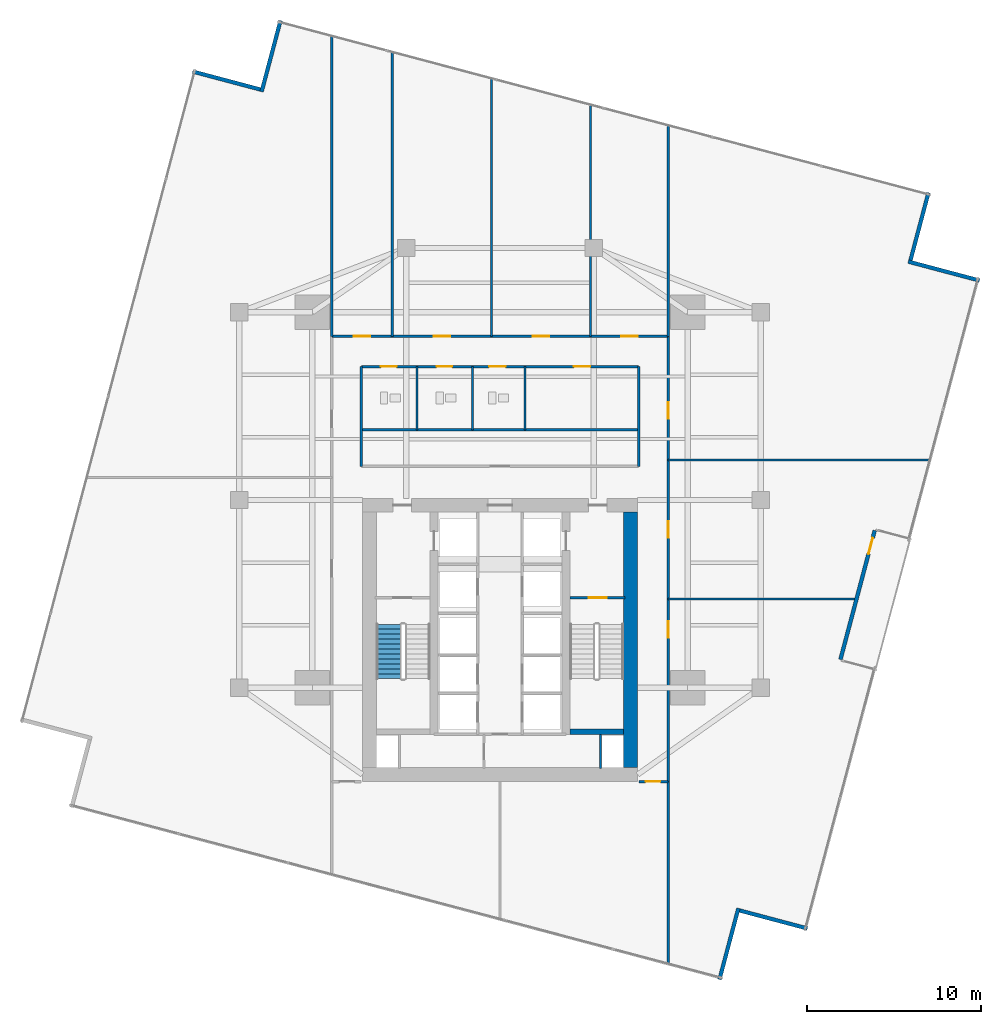
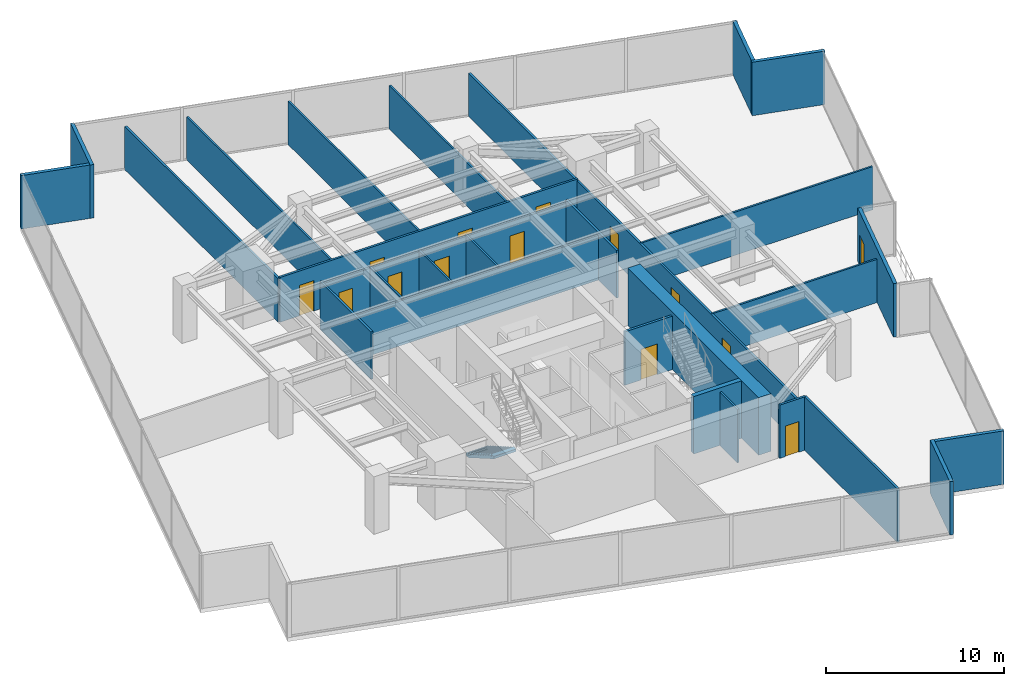
# One storey, part 24 of 27: 29 walls, 14 doors, 1 stair flight, 14 openings, 1 element without a shape of its own.
"""IFC4 building model written with IfcOpenShell, lengths in metres."""

from ifc_helpers import new_model, si_unit, direction, frame, frame_2d, origin, place, context, subcontext, project, spatial, polyline, rectangle, outline, extrude, material, layer, layer_set, type_object, element, fill, aggregate, save


model = new_model("IFC4")

# Units and contexts
model_context = context("Model", 3, precision=1e-05, world=origin(), true_north=direction((0.0, 1.0)))
body_context = subcontext(model_context, "Body", "Model", "MODEL_VIEW")
ifc_project = project(units=[si_unit("LENGTHUNIT", "METRE"), si_unit("AREAUNIT", "SQUARE_METRE"), si_unit("VOLUMEUNIT", "CUBIC_METRE"), si_unit("PLANEANGLEUNIT", "RADIAN"), si_unit("MASSUNIT", "GRAM", prefix="KILO")], contexts=[model_context])

# Site, building, storey
site_placement = place(None, origin())
site = spatial("IfcSite", under=ifc_project, at=site_placement, CompositionType="ELEMENT")
building_placement = place(site_placement, origin())
building = spatial("IfcBuilding", under=site, at=building_placement, Name="Krantzveldt Concourse Tower", CompositionType="ELEMENT")
storey_placement = place(building_placement, frame((0.0, 0.0, 97.949951171875)))
storey = spatial("IfcBuildingStorey", under=building, at=storey_placement, Name="L23", CompositionType="ELEMENT", Elevation=97.949951171875)

# Walls
ifc_material_1 = material(Name="Anodised aluminium 6063-T6", Category="aluminium")
ifc_layer_1 = layer(ifc_material_1, 0.219970703125, Name="Anodised aluminium 6063-T6", Category="aluminium")
ifc_layer_set_1 = layer_set([ifc_layer_1], Name="Anodised aluminium 6063-T6 (WL-EXT-NOTCH220)")
wall_type_1 = type_object("IfcWallType", Name="WL-EXT-NOTCH220", PredefinedType="ELEMENTEDWALL", material=ifc_layer_set_1)
wall_1_placement = place(storey_placement, frame((22.2021484375, 50.32373046875, 0.0), z_axis=(0.0, 0.0, 1.0), x_axis=(-0.966492181189, 0.256696053144, 0.0)))
element("IfcWall", 1, at=wall_1_placement, inside=storey, type_object=wall_type_1, Name="EW-L23-NCH00", PredefinedType="ELEMENTEDWALL", context=body_context, shape_type="SweptSolid", body=[
    extrude(rectangle(XDim=4.02490234375, YDim=0.219970703125, at=frame_2d((2.012451171875, 0.0))), origin(), (0.0, 0.0, 1.0), 3.670166015625),
])
wall_2_placement = place(storey_placement, frame((48.630126953125, -0.891845703125, 0.0), z_axis=(0.0, 0.0, 1.0), x_axis=(0.256692391399, 0.966493153725, 0.0)))
element("IfcWall", 2, at=wall_2_placement, inside=storey, type_object=wall_type_1, Name="EW-L23-NCH05", PredefinedType="ELEMENTEDWALL", context=body_context, shape_type="SweptSolid", body=[
    extrude(rectangle(XDim=4.244873046875, YDim=0.219970703125, at=frame_2d((2.12255859375, 0.0))), origin(), (0.0, 0.0, 1.0), 3.670166015625),
])
wall_3_placement = place(storey_placement, frame((49.7978515625, 3.076171875, 0.0), z_axis=(0.0, 0.0, 1.0), x_axis=(0.966492181189, -0.256696053144, 0.0)))
element("IfcWall", 3, at=wall_3_placement, inside=storey, type_object=wall_type_1, Name="EW-L23-NCH06", PredefinedType="ELEMENTEDWALL", context=body_context, shape_type="SweptSolid", body=[
    extrude(rectangle(XDim=4.02490234375, YDim=0.219970703125, at=frame_2d((2.012451171875, 0.0))), origin(), (0.0, 0.0, 1.0), 3.670166015625),
])

# Wall, opening, door
wall_4_placement = place(storey_placement, frame((57.5634765625, 24.95068359375, 0.0), z_axis=(0.0, 0.0, 1.0), x_axis=(-0.256717978083, -0.966486357756, 0.0)))
wall_4 = element("IfcWall", 4, at=wall_4_placement, inside=storey, type_object=wall_type_1, Name="EW-L23-TSLOT", PredefinedType="ELEMENTEDWALL", context=body_context, shape_type="SweptSolid", body=[
    extrude(rectangle(XDim=7.68994140625, YDim=0.219970703125, at=frame_2d((3.844970703125, 0.0))), origin(), (0.0, 0.0, 1.0), 3.670166015625),
])
opening_1_placement = place(wall_4_placement, frame((0.449951171875, 0.0, 0.0)))
opening_1 = element("IfcOpeningElement", 5, at=opening_1_placement, cuts=wall_4, Name="Opening D-EX95", PredefinedType="OPENING", context=body_context, shape_type="SweptSolid", body=[
    extrude(rectangle(XDim=0.949951171875, YDim=2.10009765625, at=frame_2d((0.47509765625, 1.050048828125))), frame((0.0, 0.1201171875, 0.0), z_axis=(0.0, -1.0, 0.0), x_axis=(1.0, 0.0, 0.0)), (0.0, 0.0, 1.0), 0.239990234375),
])
door_type_1 = type_object("IfcDoorType", Name="DR-EXT-950", OperationType="SINGLE_SWING_LEFT", PredefinedType="DOOR", material=ifc_material_1)
door_1_placement = place(opening_1_placement, origin())
door_1 = element("IfcDoor", 6, at=door_1_placement, inside=storey, type_object=door_type_1, Name="DR-L23-TERR", OperationType="SINGLE_SWING_LEFT", OverallHeight=2.10009765625, OverallWidth=0.949951171875, PredefinedType="DOOR", context=body_context, shape_type="SweptSolid", body=[
    extrude(rectangle(XDim=0.949951171875, YDim=2.10009765625, at=frame_2d((0.47509765625, 1.050048828125))), frame((0.0, 0.02490234375, 0.0), z_axis=(0.0, -1.0, 0.0), x_axis=(1.0, 0.0, 0.0)), (0.0, 0.0, 1.0), 0.050048828125),
])
fill(opening_1, door_1)

# Walls
wall_5_placement = place(storey_placement, frame((63.592041015625, 39.330078125, 0.0), z_axis=(0.0, 0.0, 1.0), x_axis=(-0.966482674278, 0.256731845164, 0.0)))
element("IfcWall", 7, at=wall_5_placement, inside=storey, type_object=wall_type_1, Name="EW-L23-NCH12", PredefinedType="ELEMENTEDWALL", context=body_context, shape_type="SweptSolid", body=[
    extrude(rectangle(XDim=4.2451171875, YDim=0.219970703125, at=frame_2d((2.12255859375, 0.0))), origin(), (0.0, 0.0, 1.0), 3.670166015625),
])
wall_6_placement = place(storey_placement, frame((59.623779296875, 40.497802734375, 0.0), z_axis=(0.0, 0.0, 1.0), x_axis=(0.256696053144, 0.966492181189, 0.0)))
element("IfcWall", 8, at=wall_6_placement, inside=storey, type_object=wall_type_1, Name="EW-L23-NCH13", PredefinedType="ELEMENTEDWALL", context=body_context, shape_type="SweptSolid", body=[
    extrude(rectangle(XDim=4.02490234375, YDim=0.219970703125, at=frame_2d((2.012451171875, 0.0))), origin(), (0.0, 0.0, 1.0), 3.670166015625),
])
wall_7_placement = place(storey_placement, frame((23.369873046875, 54.2919921875, 0.0), z_axis=(0.0, 0.0, 1.0), x_axis=(-0.256678123022, -0.966496943173, 0.0)))
element("IfcWall", 9, at=wall_7_placement, inside=storey, type_object=wall_type_1, Name="EW-L23-NCH15", PredefinedType="ELEMENTEDWALL", context=body_context, shape_type="SweptSolid", body=[
    extrude(rectangle(XDim=4.2451171875, YDim=0.219970703125, at=frame_2d((2.12255859375, 0.0))), origin(), (0.0, 0.0, 1.0), 3.670166015625),
])
ifc_material_2 = material(Name="Fire-rated gypsum plasterboard on steel stud", Category="steel")
ifc_layer_2 = layer(ifc_material_2, 0.1201171875, Name="Fire-rated gypsum plasterboard on steel stud", Category="steel")
ifc_layer_set_2 = layer_set([ifc_layer_2], Name="Fire-rated gypsum plasterboard on steel stud (WL-PART-120)")
wall_type_2 = type_object("IfcWallType", Name="WL-PART-120", PredefinedType="PARTITIONING", material=ifc_layer_set_2)
wall_8_placement = place(storey_placement, frame((28.02001953125, 30.739990234375, 0.0), z_axis=(0.0, 0.0, 1.0), x_axis=(1.0, 0.0, 0.0)))
element("IfcWall", 10, at=wall_8_placement, inside=storey, type_object=wall_type_2, Name="WP-L23-ISLM", PredefinedType="PARTITIONING", context=body_context, shape_type="SweptSolid", body=[
    extrude(rectangle(XDim=15.9599609375, YDim=0.1201171875, at=frame_2d((7.97998046875, 0.0))), origin(), (0.0, 0.0, 1.0), 3.080078125),
])
for number, where, z_axis, x_axis, name in (
    (11, (31.219970703125, 30.739990234375, 0.0), (0.0, 0.0, 1.0), (0.0, 1.0, 0.0), "WP-L23-WCD1"),
    (12, (34.419921875, 30.739990234375, 0.0), (0.0, 0.0, 1.0), (0.0, 1.0, 0.0), "WP-L23-WCD2"),
    (13, (37.449951171875, 30.739990234375, 0.0), (0.0, 0.0, 1.0), (0.0, 1.0, 0.0), "WP-L23-WCD3"),
):
    element("IfcWall", number, at=place(storey_placement, frame(where, z_axis=z_axis, x_axis=x_axis)), inside=storey, type_object=wall_type_2, Name=name, PredefinedType="PARTITIONING", context=body_context, shape_type="SweptSolid", body=[
        extrude(rectangle(XDim=3.639892578125, YDim=0.1201171875, at=frame_2d((1.81982421875, 0.0))), origin(), (0.0, 0.0, 1.0), 3.170166015625),
    ])
wall_9_placement = place(storey_placement, frame((29.800048828125, 36.1201171875, 0.0), z_axis=(0.0, 0.0, 1.0), x_axis=(0.0, 1.0, 0.0)))
element("IfcWall", 14, at=wall_9_placement, inside=storey, type_object=wall_type_2, Name="WP-L23-ND1", PredefinedType="PARTITIONING", context=body_context, shape_type="SweptSolid", body=[
    extrude(rectangle(XDim=16.344970703125, YDim=0.1201171875, at=frame_2d((8.17236328125, 0.0))), origin(), (0.0, 0.0, 1.0), 2.969970703125),
])
wall_10_placement = place(storey_placement, frame((35.5, 36.1201171875, 0.0), z_axis=(0.0, 0.0, 1.0), x_axis=(0.0, 1.0, 0.0)))
element("IfcWall", 15, at=wall_10_placement, inside=storey, type_object=wall_type_2, Name="WP-L23-ND2", PredefinedType="PARTITIONING", context=body_context, shape_type="SweptSolid", body=[
    extrude(rectangle(XDim=14.8310546875, YDim=0.1201171875, at=frame_2d((7.41552734375, 0.0))), origin(), (0.0, 0.0, 1.0), 2.969970703125),
])
wall_11_placement = place(storey_placement, frame((41.199951171875, 36.1201171875, 0.0), z_axis=(0.0, 0.0, 1.0), x_axis=(0.0, 1.0, 0.0)))
element("IfcWall", 16, at=wall_11_placement, inside=storey, type_object=wall_type_2, Name="WP-L23-ND3", PredefinedType="PARTITIONING", context=body_context, shape_type="SweptSolid", body=[
    extrude(rectangle(XDim=13.31689453125, YDim=0.1201171875, at=frame_2d((6.658447265625, 0.0))), origin(), (0.0, 0.0, 1.0), 2.969970703125),
])
wall_12_placement = place(storey_placement, frame((45.679931640625, 21.0, 0.0), z_axis=(0.0, 0.0, 1.0), x_axis=(1.0, 0.0, 0.0)))
element("IfcWall", 17, at=wall_12_placement, inside=storey, type_object=wall_type_2, Name="WP-L23-ED1", PredefinedType="PARTITIONING", context=body_context, shape_type="SweptSolid", body=[
    extrude(rectangle(XDim=10.71533203125, YDim=0.1201171875, at=frame_2d((5.357666015625, 0.0))), origin(), (0.0, 0.0, 1.0), 2.969970703125),
])
wall_13_placement = place(storey_placement, frame((45.679931640625, 29.0, 0.0), z_axis=(0.0, 0.0, 1.0), x_axis=(1.0, 0.0, 0.0)))
element("IfcWall", 18, at=wall_13_placement, inside=storey, type_object=wall_type_2, Name="WP-L23-ED2", PredefinedType="PARTITIONING", context=body_context, shape_type="SweptSolid", body=[
    extrude(rectangle(XDim=15.04931640625, YDim=0.1201171875, at=frame_2d((7.524658203125, 0.0))), origin(), (0.0, 0.0, 1.0), 2.969970703125),
])

# Wall, openings, doors
ifc_layer_3 = layer(ifc_material_2, 0.139892578125, Name="Fire-rated gypsum plasterboard on steel stud", Category="steel")
ifc_layer_set_3 = layer_set([ifc_layer_3], Name="Fire-rated gypsum plasterboard on steel stud (WL-PART-140)")
wall_type_3 = type_object("IfcWallType", Name="WL-PART-140", PredefinedType="PARTITIONING", material=ifc_layer_set_3)
wall_14_placement = place(storey_placement, frame((28.02001953125, 34.3798828125, 0.0), z_axis=(0.0, 0.0, 1.0), x_axis=(1.0, 0.0, 0.0)))
wall_14 = element("IfcWall", 19, at=wall_14_placement, inside=storey, type_object=wall_type_3, Name="WP-L23-ISLN", PredefinedType="PARTITIONING", context=body_context, shape_type="SweptSolid", body=[
    extrude(rectangle(XDim=15.9599609375, YDim=0.139892578125, at=frame_2d((7.97998046875, 0.0))), origin(), (0.0, 0.0, 1.0), 3.080078125),
])
opening_2_placement = place(wall_14_placement, frame((1.1298828125, 0.0, 0.0)))
opening_2 = element("IfcOpeningElement", 20, at=opening_2_placement, cuts=wall_14, Name="Opening D-IN090", PredefinedType="OPENING", context=body_context, shape_type="SweptSolid", body=[
    extrude(rectangle(XDim=0.89990234375, YDim=2.10009765625, at=frame_2d((0.449951171875, 1.050048828125))), frame((0.0, 0.080078125, 0.0), z_axis=(0.0, -1.0, 0.0), x_axis=(1.0, 0.0, 0.0)), (0.0, 0.0, 1.0), 0.159912109375),
])
opening_3_placement = place(wall_14_placement, frame((4.330078125, 0.0, 0.0)))
opening_3 = element("IfcOpeningElement", 21, at=opening_3_placement, cuts=wall_14, Name="Opening D-IN090", PredefinedType="OPENING", context=body_context, shape_type="SweptSolid", body=[
    extrude(rectangle(XDim=0.89990234375, YDim=2.10009765625, at=frame_2d((0.449951171875, 1.050048828125))), frame((0.0, 0.080078125, 0.0), z_axis=(0.0, -1.0, 0.0), x_axis=(1.0, 0.0, 0.0)), (0.0, 0.0, 1.0), 0.159912109375),
])
opening_4_placement = place(wall_14_placement, frame((7.35498046875, 0.0, 0.0)))
opening_4 = element("IfcOpeningElement", 22, at=opening_4_placement, cuts=wall_14, Name="Opening D-IN095", PredefinedType="OPENING", context=body_context, shape_type="SweptSolid", body=[
    extrude(rectangle(XDim=0.949951171875, YDim=2.10009765625, at=frame_2d((0.47509765625, 1.050048828125))), frame((0.0, 0.080078125, 0.0), z_axis=(0.0, -1.0, 0.0), x_axis=(1.0, 0.0, 0.0)), (0.0, 0.0, 1.0), 0.159912109375),
])
opening_5_placement = place(wall_14_placement, frame((12.22998046875, 0.0, 0.0)))
opening_5 = element("IfcOpeningElement", 23, at=opening_5_placement, cuts=wall_14, Name="Opening D-IN095", PredefinedType="OPENING", context=body_context, shape_type="SweptSolid", body=[
    extrude(rectangle(XDim=0.949951171875, YDim=2.10009765625, at=frame_2d((0.47509765625, 1.050048828125))), frame((0.0, 0.080078125, 0.0), z_axis=(0.0, -1.0, 0.0), x_axis=(1.0, 0.0, 0.0)), (0.0, 0.0, 1.0), 0.159912109375),
])
ifc_material_3 = material(Name="Hardwood timber", Category="wood")
door_type_2 = type_object("IfcDoorType", Name="DR-INT-900", OperationType="SINGLE_SWING_LEFT", PredefinedType="DOOR", material=ifc_material_3)
door_2_placement = place(opening_2_placement, origin())
door_2 = element("IfcDoor", 24, at=door_2_placement, inside=storey, type_object=door_type_2, Name="DR-L23-WCM", OperationType="SINGLE_SWING_LEFT", OverallHeight=2.10009765625, OverallWidth=0.89990234375, PredefinedType="DOOR", context=body_context, shape_type="SweptSolid", body=[
    extrude(rectangle(XDim=0.89990234375, YDim=2.10009765625, at=frame_2d((0.449951171875, 1.050048828125))), frame((0.0, 0.02490234375, 0.0), z_axis=(0.0, -1.0, 0.0), x_axis=(1.0, 0.0, 0.0)), (0.0, 0.0, 1.0), 0.050048828125),
])
fill(opening_2, door_2)
door_3_placement = place(opening_3_placement, origin())
door_3 = element("IfcDoor", 25, at=door_3_placement, inside=storey, type_object=door_type_2, Name="DR-L23-WCF", OperationType="SINGLE_SWING_RIGHT", OverallHeight=2.10009765625, OverallWidth=0.89990234375, PredefinedType="DOOR", context=body_context, shape_type="SweptSolid", body=[
    extrude(rectangle(XDim=0.89990234375, YDim=2.10009765625, at=frame_2d((0.449951171875, 1.050048828125))), frame((0.0, 0.02490234375, 0.0), z_axis=(0.0, -1.0, 0.0), x_axis=(1.0, 0.0, 0.0)), (0.0, 0.0, 1.0), 0.050048828125),
])
fill(opening_3, door_3)
door_type_3 = type_object("IfcDoorType", Name="DR-INT-950", OperationType="SINGLE_SWING_LEFT", PredefinedType="DOOR", material=ifc_material_3)
door_4_placement = place(opening_4_placement, origin())
door_4 = element("IfcDoor", 26, at=door_4_placement, inside=storey, type_object=door_type_3, Name="DR-L23-WCA", OperationType="SINGLE_SWING_LEFT", OverallHeight=2.10009765625, OverallWidth=0.949951171875, PredefinedType="DOOR", context=body_context, shape_type="SweptSolid", body=[
    extrude(rectangle(XDim=0.949951171875, YDim=2.10009765625, at=frame_2d((0.47509765625, 1.050048828125))), frame((0.0, 0.02490234375, 0.0), z_axis=(0.0, -1.0, 0.0), x_axis=(1.0, 0.0, 0.0)), (0.0, 0.0, 1.0), 0.050048828125),
])
fill(opening_4, door_4)
door_5_placement = place(opening_5_placement, origin())
door_5 = element("IfcDoor", 27, at=door_5_placement, inside=storey, type_object=door_type_3, Name="DR-L23-PNT", OperationType="SINGLE_SWING_RIGHT", OverallHeight=2.10009765625, OverallWidth=0.949951171875, PredefinedType="DOOR", context=body_context, shape_type="SweptSolid", body=[
    extrude(rectangle(XDim=0.949951171875, YDim=2.10009765625, at=frame_2d((0.47509765625, 1.050048828125))), frame((0.0, 0.02490234375, 0.0), z_axis=(0.0, -1.0, 0.0), x_axis=(1.0, 0.0, 0.0)), (0.0, 0.0, 1.0), 0.050048828125),
])
fill(opening_5, door_5)

# Walls
for number, where, z_axis, x_axis, name in (
    (28, (28.02001953125, 28.639892578125, 0.0), (0.0, 0.0, 1.0), (0.0, 1.0, 0.0), "WP-L23-ISLW"),
    (29, (43.97998046875, 28.639892578125, 0.0), (0.0, 0.0, 1.0), (0.0, 1.0, 0.0), "WP-L23-ISLE"),
):
    element("IfcWall", number, at=place(storey_placement, frame(where, z_axis=z_axis, x_axis=x_axis)), inside=storey, type_object=wall_type_3, Name=name, PredefinedType="PARTITIONING", context=body_context, shape_type="SweptSolid", body=[
        extrude(rectangle(XDim=5.739990234375, YDim=0.139892578125, at=frame_2d((2.8701171875, 0.0))), origin(), (0.0, 0.0, 1.0), 3.27001953125),
    ])

# Wall, openings, doors
wall_15_placement = place(storey_placement, frame((26.320068359375, 36.1201171875, 0.0), z_axis=(0.0, 0.0, 1.0), x_axis=(1.0, 0.0, 0.0)))
wall_15 = element("IfcWall", 30, at=wall_15_placement, inside=storey, type_object=wall_type_3, Name="WP-L23-CTOP", PredefinedType="PARTITIONING", context=body_context, shape_type="SweptSolid", body=[
    extrude(rectangle(XDim=19.35986328125, YDim=0.139892578125, at=frame_2d((9.679931640625, 0.0))), origin(), (0.0, 0.0, 1.0), 3.080078125),
])
opening_6_placement = place(wall_15_placement, frame((1.264892578125, 0.0, 0.0)))
opening_6 = element("IfcOpeningElement", 31, at=opening_6_placement, cuts=wall_15, Name="Opening D-IN095", PredefinedType="OPENING", context=body_context, shape_type="SweptSolid", body=[
    extrude(rectangle(XDim=0.949951171875, YDim=2.10009765625, at=frame_2d((0.47509765625, 1.050048828125))), frame((0.0, 0.080078125, 0.0), z_axis=(0.0, -1.0, 0.0), x_axis=(1.0, 0.0, 0.0)), (0.0, 0.0, 1.0), 0.159912109375),
])
opening_7_placement = place(wall_15_placement, frame((5.85498046875, 0.0, 0.0)))
opening_7 = element("IfcOpeningElement", 32, at=opening_7_placement, cuts=wall_15, Name="Opening D-IN095", PredefinedType="OPENING", context=body_context, shape_type="SweptSolid", body=[
    extrude(rectangle(XDim=0.949951171875, YDim=2.10009765625, at=frame_2d((0.47509765625, 1.050048828125))), frame((0.0, 0.080078125, 0.0), z_axis=(0.0, -1.0, 0.0), x_axis=(1.0, 0.0, 0.0)), (0.0, 0.0, 1.0), 0.159912109375),
])
opening_8_placement = place(wall_15_placement, frame((11.554931640625, 0.0, 0.0)))
opening_8 = element("IfcOpeningElement", 33, at=opening_8_placement, cuts=wall_15, Name="Opening D-IN095", PredefinedType="OPENING", context=body_context, shape_type="SweptSolid", body=[
    extrude(rectangle(XDim=0.949951171875, YDim=2.10009765625, at=frame_2d((0.47509765625, 1.050048828125))), frame((0.0, 0.080078125, 0.0), z_axis=(0.0, -1.0, 0.0), x_axis=(1.0, 0.0, 0.0)), (0.0, 0.0, 1.0), 0.159912109375),
])
opening_9_placement = place(wall_15_placement, frame((16.64501953125, 0.0, 0.0)))
opening_9 = element("IfcOpeningElement", 34, at=opening_9_placement, cuts=wall_15, Name="Opening D-IN095", PredefinedType="OPENING", context=body_context, shape_type="SweptSolid", body=[
    extrude(rectangle(XDim=0.949951171875, YDim=2.10009765625, at=frame_2d((0.47509765625, 1.050048828125))), frame((0.0, 0.080078125, 0.0), z_axis=(0.0, -1.0, 0.0), x_axis=(1.0, 0.0, 0.0)), (0.0, 0.0, 1.0), 0.159912109375),
])
door_6_placement = place(opening_6_placement, origin())
door_6 = element("IfcDoor", 35, at=door_6_placement, inside=storey, type_object=door_type_3, Name="DR-L23-NR1", OperationType="SINGLE_SWING_LEFT", OverallHeight=2.10009765625, OverallWidth=0.949951171875, PredefinedType="DOOR", context=body_context, shape_type="SweptSolid", body=[
    extrude(rectangle(XDim=0.949951171875, YDim=2.10009765625, at=frame_2d((0.47509765625, 1.050048828125))), frame((0.0, 0.02490234375, 0.0), z_axis=(0.0, -1.0, 0.0), x_axis=(1.0, 0.0, 0.0)), (0.0, 0.0, 1.0), 0.050048828125),
])
fill(opening_6, door_6)
door_7_placement = place(opening_7_placement, origin())
door_7 = element("IfcDoor", 36, at=door_7_placement, inside=storey, type_object=door_type_3, Name="DR-L23-NR2", OperationType="SINGLE_SWING_LEFT", OverallHeight=2.10009765625, OverallWidth=0.949951171875, PredefinedType="DOOR", context=body_context, shape_type="SweptSolid", body=[
    extrude(rectangle(XDim=0.949951171875, YDim=2.10009765625, at=frame_2d((0.47509765625, 1.050048828125))), frame((0.0, 0.02490234375, 0.0), z_axis=(0.0, -1.0, 0.0), x_axis=(1.0, 0.0, 0.0)), (0.0, 0.0, 1.0), 0.050048828125),
])
fill(opening_7, door_7)
door_8_placement = place(opening_8_placement, origin())
door_8 = element("IfcDoor", 37, at=door_8_placement, inside=storey, type_object=door_type_3, Name="DR-L23-NR3", OperationType="SINGLE_SWING_LEFT", OverallHeight=2.10009765625, OverallWidth=0.949951171875, PredefinedType="DOOR", context=body_context, shape_type="SweptSolid", body=[
    extrude(rectangle(XDim=0.949951171875, YDim=2.10009765625, at=frame_2d((0.47509765625, 1.050048828125))), frame((0.0, 0.02490234375, 0.0), z_axis=(0.0, -1.0, 0.0), x_axis=(1.0, 0.0, 0.0)), (0.0, 0.0, 1.0), 0.050048828125),
])
fill(opening_8, door_8)
door_9_placement = place(opening_9_placement, origin())
door_9 = element("IfcDoor", 38, at=door_9_placement, inside=storey, type_object=door_type_3, Name="DR-L23-NR4", OperationType="SINGLE_SWING_LEFT", OverallHeight=2.10009765625, OverallWidth=0.949951171875, PredefinedType="DOOR", context=body_context, shape_type="SweptSolid", body=[
    extrude(rectangle(XDim=0.949951171875, YDim=2.10009765625, at=frame_2d((0.47509765625, 1.050048828125))), frame((0.0, 0.02490234375, 0.0), z_axis=(0.0, -1.0, 0.0), x_axis=(1.0, 0.0, 0.0)), (0.0, 0.0, 1.0), 0.050048828125),
])
fill(opening_9, door_9)

wall_16_placement = place(storey_placement, frame((45.679931640625, 10.5, 0.0), z_axis=(0.0, 0.0, 1.0), x_axis=(0.0, 1.0, 0.0)))
wall_16 = element("IfcWall", 39, at=wall_16_placement, inside=storey, type_object=wall_type_3, Name="WP-L23-CEAST", PredefinedType="PARTITIONING", context=body_context, shape_type="SweptSolid", body=[
    extrude(rectangle(XDim=25.6201171875, YDim=0.139892578125, at=frame_2d((12.81005859375, 0.0))), origin(), (0.0, 0.0, 1.0), 2.969970703125),
])
opening_10_placement = place(wall_16_placement, frame((8.27490234375, 0.0, 0.0)))
opening_10 = element("IfcOpeningElement", 40, at=opening_10_placement, cuts=wall_16, Name="Opening D-IN095", PredefinedType="OPENING", context=body_context, shape_type="SweptSolid", body=[
    extrude(rectangle(XDim=0.949951171875, YDim=2.10009765625, at=frame_2d((0.47509765625, 1.050048828125))), frame((0.0, 0.080078125, 0.0), z_axis=(0.0, -1.0, 0.0), x_axis=(1.0, 0.0, 0.0)), (0.0, 0.0, 1.0), 0.159912109375),
])
opening_11_placement = place(wall_16_placement, frame((14.02490234375, 0.0, 0.0)))
opening_11 = element("IfcOpeningElement", 41, at=opening_11_placement, cuts=wall_16, Name="Opening D-IN095", PredefinedType="OPENING", context=body_context, shape_type="SweptSolid", body=[
    extrude(rectangle(XDim=0.949951171875, YDim=2.10009765625, at=frame_2d((0.47509765625, 1.050048828125))), frame((0.0, 0.080078125, 0.0), z_axis=(0.0, -1.0, 0.0), x_axis=(1.0, 0.0, 0.0)), (0.0, 0.0, 1.0), 0.159912109375),
])
opening_12_placement = place(wall_16_placement, frame((20.875, 0.0, 0.0)))
opening_12 = element("IfcOpeningElement", 42, at=opening_12_placement, cuts=wall_16, Name="Opening D-IN095", PredefinedType="OPENING", context=body_context, shape_type="SweptSolid", body=[
    extrude(rectangle(XDim=0.949951171875, YDim=2.10009765625, at=frame_2d((0.47509765625, 1.050048828125))), frame((0.0, 0.080078125, 0.0), z_axis=(0.0, -1.0, 0.0), x_axis=(1.0, 0.0, 0.0)), (0.0, 0.0, 1.0), 0.159912109375),
])
door_10_placement = place(opening_10_placement, origin())
door_10 = element("IfcDoor", 43, at=door_10_placement, inside=storey, type_object=door_type_3, Name="DR-L23-ER1", OperationType="SINGLE_SWING_LEFT", OverallHeight=2.10009765625, OverallWidth=0.949951171875, PredefinedType="DOOR", context=body_context, shape_type="SweptSolid", body=[
    extrude(rectangle(XDim=0.949951171875, YDim=2.10009765625, at=frame_2d((0.47509765625, 1.050048828125))), frame((0.0, 0.02490234375, 0.0), z_axis=(0.0, -1.0, 0.0), x_axis=(1.0, 0.0, 0.0)), (0.0, 0.0, 1.0), 0.050048828125),
])
fill(opening_10, door_10)
door_11_placement = place(opening_11_placement, origin())
door_11 = element("IfcDoor", 44, at=door_11_placement, inside=storey, type_object=door_type_3, Name="DR-L23-ER2", OperationType="SINGLE_SWING_LEFT", OverallHeight=2.10009765625, OverallWidth=0.949951171875, PredefinedType="DOOR", context=body_context, shape_type="SweptSolid", body=[
    extrude(rectangle(XDim=0.949951171875, YDim=2.10009765625, at=frame_2d((0.47509765625, 1.050048828125))), frame((0.0, 0.02490234375, 0.0), z_axis=(0.0, -1.0, 0.0), x_axis=(1.0, 0.0, 0.0)), (0.0, 0.0, 1.0), 0.050048828125),
])
fill(opening_11, door_11)
door_12_placement = place(opening_12_placement, origin())
door_12 = element("IfcDoor", 45, at=door_12_placement, inside=storey, type_object=door_type_3, Name="DR-L23-ER3", OperationType="SINGLE_SWING_LEFT", OverallHeight=2.10009765625, OverallWidth=0.949951171875, PredefinedType="DOOR", context=body_context, shape_type="SweptSolid", body=[
    extrude(rectangle(XDim=0.949951171875, YDim=2.10009765625, at=frame_2d((0.47509765625, 1.050048828125))), frame((0.0, 0.02490234375, 0.0), z_axis=(0.0, -1.0, 0.0), x_axis=(1.0, 0.0, 0.0)), (0.0, 0.0, 1.0), 0.050048828125),
])
fill(opening_12, door_12)

# Wall, opening, door
wall_17_placement = place(storey_placement, frame((44.0, 10.5, 0.0), z_axis=(0.0, 0.0, 1.0), x_axis=(1.0, 0.0, 0.0)))
wall_17 = element("IfcWall", 46, at=wall_17_placement, inside=storey, type_object=wall_type_3, Name="WP-L23-CEBOT", PredefinedType="PARTITIONING", context=body_context, shape_type="SweptSolid", body=[
    extrude(rectangle(XDim=1.679931640625, YDim=0.139892578125, at=frame_2d((0.83984375, 0.0))), origin(), (0.0, 0.0, 1.0), 3.670166015625),
])
opening_13_placement = place(wall_17_placement, frame((0.385009765625, 0.0, 0.0)))
opening_13 = element("IfcOpeningElement", 47, at=opening_13_placement, cuts=wall_17, Name="Opening D-IN085", PredefinedType="OPENING", context=body_context, shape_type="SweptSolid", body=[
    extrude(rectangle(XDim=0.85009765625, YDim=2.10009765625, at=frame_2d((0.425048828125, 1.050048828125))), frame((0.0, 0.080078125, 0.0), z_axis=(0.0, -1.0, 0.0), x_axis=(1.0, 0.0, 0.0)), (0.0, 0.0, 1.0), 0.159912109375),
])
door_type_4 = type_object("IfcDoorType", Name="DR-INT-850", OperationType="SINGLE_SWING_LEFT", PredefinedType="DOOR", material=ifc_material_3)
door_13_placement = place(opening_13_placement, origin())
door_13 = element("IfcDoor", 48, at=door_13_placement, inside=storey, type_object=door_type_4, Name="DR-L23-SR2", OperationType="SINGLE_SWING_LEFT", OverallHeight=2.10009765625, OverallWidth=0.85009765625, PredefinedType="DOOR", context=body_context, shape_type="SweptSolid", body=[
    extrude(rectangle(XDim=0.85009765625, YDim=2.10009765625, at=frame_2d((0.425048828125, 1.050048828125))), frame((0.0, 0.02490234375, 0.0), z_axis=(0.0, -1.0, 0.0), x_axis=(1.0, 0.0, 0.0)), (0.0, 0.0, 1.0), 0.050048828125),
])
fill(opening_13, door_13)

# Walls
wall_18_placement = place(storey_placement, frame((26.320068359375, 36.1201171875, 0.0), z_axis=(0.0, 0.0, 1.0), x_axis=(0.0, 1.0, 0.0)))
element("IfcWall", 49, at=wall_18_placement, inside=storey, type_object=wall_type_3, Name="WP-L23-NWL", PredefinedType="PARTITIONING", context=body_context, shape_type="SweptSolid", body=[
    extrude(rectangle(XDim=17.269287109375, YDim=0.139892578125, at=frame_2d((8.634765625, 0.0))), origin(), (0.0, 0.0, 1.0), 2.969970703125),
])
wall_19_placement = place(storey_placement, frame((45.679931640625, 36.1201171875, 0.0), z_axis=(0.0, 0.0, 1.0), x_axis=(0.0, 1.0, 0.0)))
element("IfcWall", 50, at=wall_19_placement, inside=storey, type_object=wall_type_3, Name="WP-L23-NER", PredefinedType="PARTITIONING", context=body_context, shape_type="SweptSolid", body=[
    extrude(rectangle(XDim=12.126953125, YDim=0.139892578125, at=frame_2d((6.0634765625, 0.0))), origin(), (0.0, 0.0, 1.0), 2.969970703125),
])
wall_20_placement = place(storey_placement, frame((45.679931640625, 0.010498046875, 0.0), z_axis=(0.0, 0.0, 1.0), x_axis=(0.0, 1.0, 0.0)))
element("IfcWall", 51, at=wall_20_placement, inside=storey, type_object=wall_type_3, Name="WP-L23-SER", PredefinedType="PARTITIONING", context=body_context, shape_type="SweptSolid", body=[
    extrude(rectangle(XDim=10.489501953125, YDim=0.139892578125, at=frame_2d((5.24462890625, 0.0))), origin(), (0.0, 0.0, 1.0), 3.670166015625),
])
ifc_layer_4 = layer(ifc_material_2, 0.139892578125, Name="Fire-rated gypsum plasterboard on steel stud", Category="steel")
ifc_layer_set_4 = layer_set([ifc_layer_4], Name="Fire-rated gypsum plasterboard on steel stud (WL-PART-FR140)")
wall_type_4 = type_object("IfcWallType", Name="WL-PART-FR140", PredefinedType="PARTITIONING", material=ifc_layer_set_4)
wall_21_placement = place(storey_placement, frame((41.780029296875, 11.25, 0.0), z_axis=(0.0, 0.0, 1.0), x_axis=(0.0, 1.0, 0.0)))
element("IfcWall", 52, at=wall_21_placement, inside=storey, type_object=wall_type_4, Name="WP-L23-RSE", PredefinedType="PARTITIONING", context=body_context, shape_type="SweptSolid", body=[
    extrude(rectangle(XDim=1.969970703125, YDim=0.1201171875, at=frame_2d((0.98486328125, 0.0))), origin(), (0.0, 0.0, 1.0), 3.670166015625),
])

# Wall, opening, door
ifc_layer_5 = layer(ifc_material_2, 0.159912109375, Name="Fire-rated gypsum plasterboard on steel stud", Category="steel")
ifc_layer_set_5 = layer_set([ifc_layer_5], Name="Fire-rated gypsum plasterboard on steel stud (WL-PART-FR160)")
wall_type_5 = type_object("IfcWallType", Name="WL-PART-FR160", PredefinedType="PARTITIONING", material=ifc_layer_set_5)
wall_22_placement = place(storey_placement, frame((40.0400390625, 21.080078125, 0.0), z_axis=(0.0, 0.0, 1.0), x_axis=(1.0, 0.0, 0.0)))
wall_22 = element("IfcWall", 53, at=wall_22_placement, inside=storey, type_object=wall_type_5, Name="WP-L23-ST2", PredefinedType="PARTITIONING", context=body_context, shape_type="SweptSolid", body=[
    extrude(rectangle(XDim=3.159912109375, YDim=0.159912109375, at=frame_2d((1.580078125, 0.0))), origin(), (0.0, 0.0, 1.0), 3.670166015625),
])
opening_14_placement = place(wall_22_placement, frame((1.054931640625, 0.0, 0.0)))
opening_14 = element("IfcOpeningElement", 54, at=opening_14_placement, cuts=wall_22, Name="Opening D-FD105", PredefinedType="OPENING", context=body_context, shape_type="SweptSolid", body=[
    extrude(rectangle(XDim=1.050048828125, YDim=2.10009765625, at=frame_2d((0.52490234375, 1.050048828125))), frame((0.0, 0.08984375, 0.0), z_axis=(0.0, -1.0, 0.0), x_axis=(1.0, 0.0, 0.0)), (0.0, 0.0, 1.0), 0.179931640625),
])
ifc_material_4 = material(Name="Galvanised steel", Category="steel")
door_type_5 = type_object("IfcDoorType", Name="DR-FD120-1050", OperationType="SINGLE_SWING_LEFT", PredefinedType="DOOR", material=ifc_material_4)
door_14_placement = place(opening_14_placement, origin())
door_14 = element("IfcDoor", 55, at=door_14_placement, inside=storey, type_object=door_type_5, Name="DR-L23-ST2", OperationType="SINGLE_SWING_LEFT", OverallHeight=2.10009765625, OverallWidth=1.050048828125, PredefinedType="DOOR", context=body_context, shape_type="SweptSolid", body=[
    extrude(rectangle(XDim=1.050048828125, YDim=2.10009765625, at=frame_2d((0.52490234375, 1.050048828125))), frame((0.0, 0.02490234375, 0.0), z_axis=(0.0, -1.0, 0.0), x_axis=(1.0, 0.0, 0.0)), (0.0, 0.0, 1.0), 0.050048828125),
])
fill(opening_14, door_14)

# Walls
ifc_material_5 = material(Name="Concrete C50/60", Category="concrete")
ifc_layer_6 = layer(ifc_material_5, 0.300048828125, Name="Concrete C50/60", Category="concrete")
ifc_layer_set_6 = layer_set([ifc_layer_6], Name="Concrete C50/60 (WL-SHEAR-300)")
wall_type_6 = type_object("IfcWallType", Name="WL-SHEAR-300", PredefinedType="SHEAR", material=ifc_layer_set_6)
wall_23_placement = place(storey_placement, frame((40.02001953125, 13.3701171875, 0.0), z_axis=(0.0, 0.0, 1.0), x_axis=(1.0, 0.0, 0.0)))
element("IfcWall", 56, at=wall_23_placement, inside=storey, type_object=wall_type_6, Name="CW-L23-ST2S", PredefinedType="SHEAR", context=body_context, shape_type="SweptSolid", body=[
    extrude(rectangle(XDim=3.10009765625, YDim=0.300048828125, at=frame_2d((1.550048828125, 0.0))), origin(), (0.0, 0.0, 1.0), 3.949951171875),
])
ifc_material_6 = material(Name="Concrete C60/75", Category="concrete")
ifc_layer_7 = layer(ifc_material_6, 0.800048828125, Name="Concrete C60/75", Category="concrete")
ifc_layer_set_7 = layer_set([ifc_layer_7], Name="Concrete C60/75 (WL-SHEAR-800)")
wall_type_7 = type_object("IfcWallType", Name="WL-SHEAR-800", PredefinedType="SHEAR", material=ifc_layer_set_7)
wall_24_placement = place(storey_placement, frame((43.52001953125, 11.300048828125, 0.0), z_axis=(0.0, 0.0, 1.0), x_axis=(0.0, 1.0, 0.0)))
element("IfcWall", 57, at=wall_24_placement, inside=storey, type_object=wall_type_7, Name="CW-L23-E", PredefinedType="SHEAR", context=body_context, shape_type="SweptSolid", body=[
    extrude(rectangle(XDim=14.699951171875, YDim=0.800048828125, at=frame_2d((7.35009765625, 0.0))), origin(), (0.0, 0.0, 1.0), 3.949951171875),
])

# Stair, stair flight
ifc_material_7 = material(Name="Precast concrete C40/50", Category="concrete")
stair_type = type_object("IfcStairType", Name="STR-CORE-DOGLEG", PredefinedType="HALF_TURN_STAIR", material=ifc_material_7)
stair_placement = place(storey_placement, origin())
stair = element("IfcStair", 58, at=stair_placement, inside=storey, type_object=stair_type, Name="L23 Protected Escape Stair ST-1", PredefinedType="HALF_TURN_STAIR")
stair_flight_type = type_object("IfcStairFlightType", Name="STF-CORE-1450", PredefinedType="STRAIGHT", material=ifc_material_7)
stair_flight_placement = place(storey_placement, frame((29.60498046875, 19.550048828125, 0.0), z_axis=(0.0, 0.0, 1.0), x_axis=(0.0, -1.0, 0.0)))
stair_flight = element("IfcStairFlight", 59, at=stair_flight_placement, type_object=stair_flight_type, Name="ST-1 flight 1", NumberOfRisers=12, NumberOfTreads=11, PredefinedType="STRAIGHT", RiserHeight=0.164583333, TreadLength=0.285, context=body_context, shape_type="SweptSolid", body=[
    extrude(outline(polyline([(0.0, 0.0), (0.0, 0.16455078125), (0.284912109375, 0.16455078125), (0.284912109375, 0.3291015625), (0.570068359375, 0.3291015625), (0.570068359375, 0.49365234375), (0.85498046875, 0.49365234375), (0.85498046875, 0.658447265625), (1.139892578125, 0.658447265625), (1.139892578125, 0.822998046875), (1.425048828125, 0.822998046875), (1.425048828125, 0.987548828125), (1.7099609375, 0.987548828125), (1.7099609375, 1.152099609375), (1.9951171875, 1.152099609375), (1.9951171875, 1.316650390625), (2.280029296875, 1.316650390625), (2.280029296875, 1.481201171875), (2.56494140625, 1.481201171875), (2.56494140625, 1.645751953125), (2.85009765625, 1.645751953125), (2.85009765625, 1.810302734375), (3.135009765625, 1.810302734375), (3.135009765625, 1.97509765625), (3.135009765625, 1.63720703125), (0.2998046875, 0.0), (0.0, 0.0)])), frame((0.0, 0.72509765625, 0.0), z_axis=(0.0, -1.0, 0.0), x_axis=(1.0, 0.0, 0.0)), (0.0, 0.0, 1.0), 1.449951171875),
])
aggregate(stair, [stair_flight])

save(model, "model.ifc")
